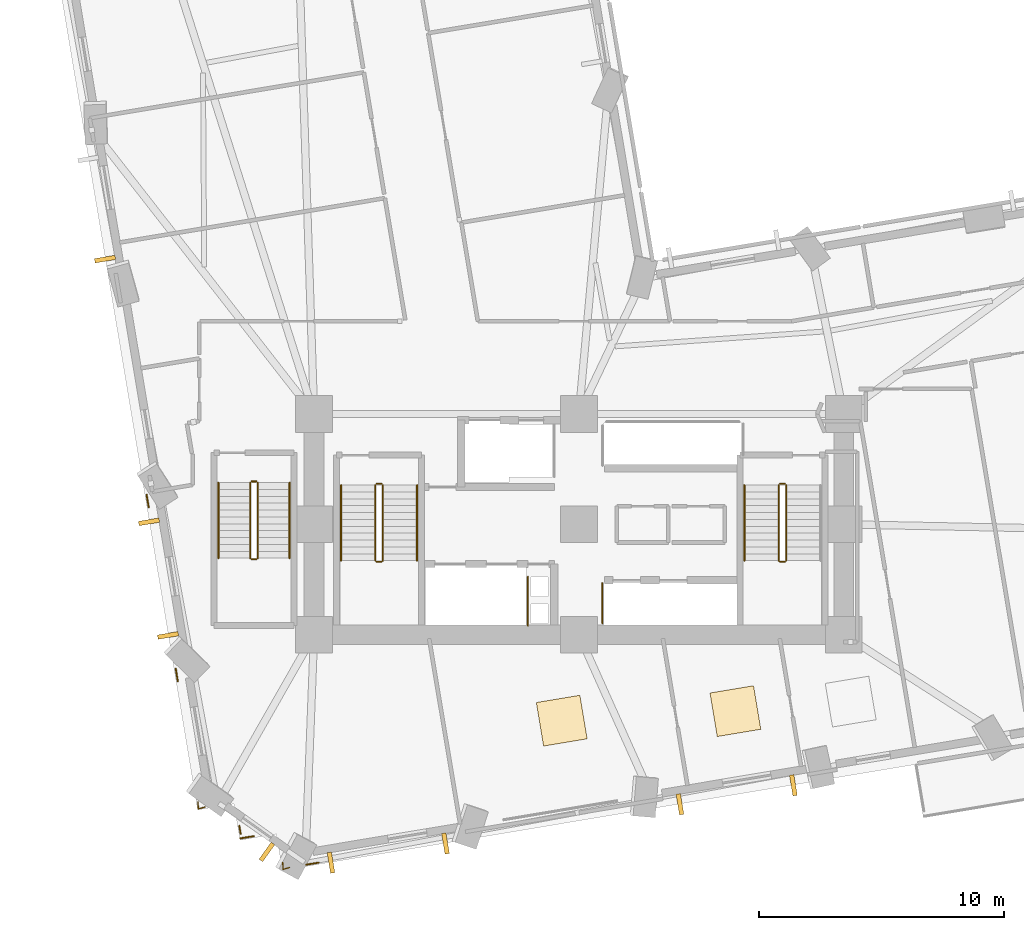
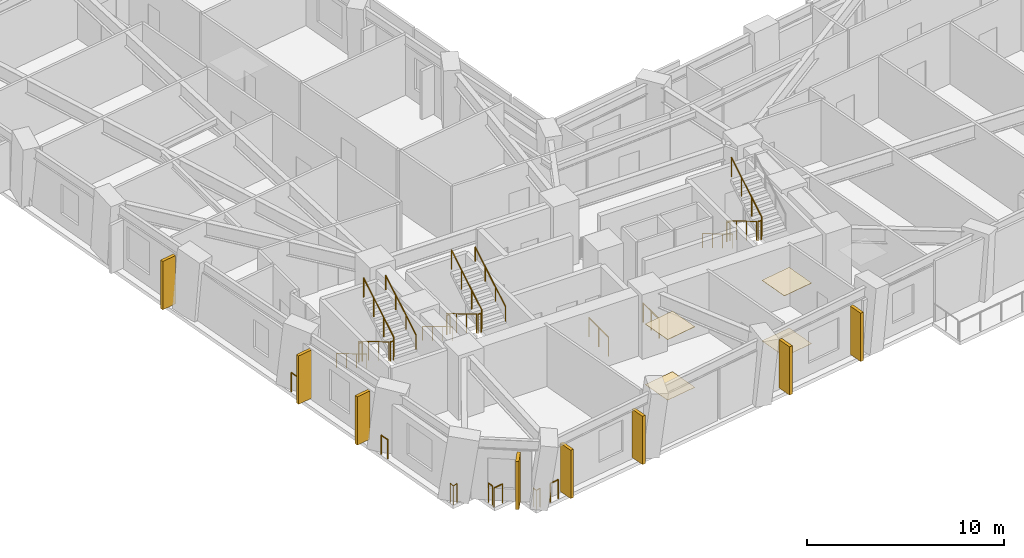
# One storey, part 13 of 16: 26 railings, 8 shading devices, 4 coverings.
"""IFC4 building model written with IfcOpenShell, lengths in metres."""

from ifc_helpers import new_model, si_unit, direction, frame, origin, origin_2d, place, context, subcontext, project, spatial, rectangle, circle, extrude, material, layer, layer_set, type_object, element, save


model = new_model("IFC4")

# Units and contexts
model_context = context("Model", 3, precision=1e-05, world=origin(), true_north=direction((0.0, 1.0)))
body_context = subcontext(model_context, "Body", "Model", "MODEL_VIEW")
ifc_project = project(units=[si_unit("LENGTHUNIT", "METRE"), si_unit("AREAUNIT", "SQUARE_METRE"), si_unit("VOLUMEUNIT", "CUBIC_METRE"), si_unit("PLANEANGLEUNIT", "RADIAN"), si_unit("MASSUNIT", "GRAM", prefix="KILO")], contexts=[model_context])

# Site, building, storey
site_placement = place(None, origin())
site = spatial("IfcSite", under=ifc_project, at=site_placement, CompositionType="ELEMENT")
building_placement = place(site_placement, origin())
building = spatial("IfcBuilding", under=site, at=building_placement, Name="Gaonmaruhae Medical Tower", CompositionType="ELEMENT")
storey_placement = place(building_placement, frame((0.0, 0.0, 63.0)))
storey = spatial("IfcBuildingStorey", under=building, at=storey_placement, Name="L14", CompositionType="ELEMENT", Elevation=63.0)

# Coverings
ifc_material_1 = material(Name="Acoustic mineral ceiling tile", Category="finish")
ifc_layer_1 = layer(ifc_material_1, 0.02490234375)
ifc_layer_set_1 = layer_set([ifc_layer_1], Name="Acoustic mineral ceiling tile")
covering_type_1 = type_object("IfcCoveringType", Name="CLG-01 Antimicrobial Acoustic Mineral Ceiling", PredefinedType="CEILING", material=ifc_layer_set_1)
for number, where, z_axis, x_axis, name in (
    (1, (24.09912109375, 4.29443359375, 3.755126953125), (0.0, 0.0, 1.0), (0.986285601537, 0.165047605861, 0.0), "L14 Clinical Room Acoustic Ceiling 2"),
    (2, (31.18212890625, 4.682373046875, 3.755126953125), (0.0, 0.0, 1.0), (0.986285601537, 0.165047605861, 0.0), "L14 Clinical Room Acoustic Ceiling 3"),
):
    element("IfcCovering", number, at=place(storey_placement, frame(where, z_axis=z_axis, x_axis=x_axis)), inside=storey, type_object=covering_type_1, Name=name, PredefinedType="CEILING", context=body_context, shape_type="SweptSolid", body=[
        extrude(rectangle(XDim=1.800048828125, YDim=1.800048828125, at=origin_2d()), origin(), (0.0, 0.0, 1.0), 0.02490234375),
    ])
ifc_material_2 = material(Name="Seamless clinical vinyl flooring", Category="finish")
ifc_layer_2 = layer(ifc_material_2, 0.014892578125)
ifc_layer_set_2 = layer_set([ifc_layer_2], Name="Seamless clinical vinyl flooring")
covering_type_2 = type_object("IfcCoveringType", Name="FLR-01 Seamless Clinical Antistatic Vinyl Flooring", PredefinedType="FLOORING", material=ifc_layer_set_2)
for number, where, z_axis, x_axis, name in (
    (3, (24.09912109375, 4.29443359375, 0.0), (0.0, 0.0, 1.0), (0.986285601537, 0.165047605861, 0.0), "L14 Clinical Room Vinyl Flooring 2"),
    (4, (31.18212890625, 4.682373046875, 0.0), (0.0, 0.0, 1.0), (0.986285601537, 0.165047605861, 0.0), "L14 Clinical Room Vinyl Flooring 3"),
):
    element("IfcCovering", number, at=place(storey_placement, frame(where, z_axis=z_axis, x_axis=x_axis)), inside=storey, type_object=covering_type_2, Name=name, PredefinedType="FLOORING", context=body_context, shape_type="SweptSolid", body=[
        extrude(rectangle(XDim=1.800048828125, YDim=1.800048828125, at=origin_2d()), origin(), (0.0, 0.0, 1.0), 0.014892578125),
    ])

# Railings
ifc_material_3 = material(Name="Stainless steel 316L and laminated safety glass", Category="steel")
ifc_layer_3 = layer(ifc_material_3, 0.080078125)
ifc_layer_set_3 = layer_set([ifc_layer_3], Name="Stainless steel 316L and laminated safety glass")
railing_type_1 = type_object("IfcRailingType", Name="GD-120 Outdoor Terrace Safety Glass & Steel Balustrade", PredefinedType="BALUSTRADE", material=ifc_layer_set_3)
railing_1_placement = place(storey_placement, frame((11.539306640625, -0.4169921875, 0.0)))
element("IfcRailing", 5, at=railing_1_placement, inside=storey, type_object=railing_type_1, Name="L14 Perimeter Slab Edge Safety Balustrade 01", PredefinedType="BALUSTRADE", context=body_context, shape_type="SweptSolid", body=[
    extrude(circle(Radius=0.02392578125, at=origin_2d()), frame((0.0, 0.0, 1.17578125), z_axis=(-0.986323123359, -0.164823227511, 0.0), x_axis=(0.164823227511, -0.986323123359, 0.0)), (0.0, 0.0, 1.0), 0.559814453125),
    extrude(circle(Radius=0.02099609375, at=origin_2d()), origin(), (0.0, 0.0, 1.0), 1.15185546875),
    extrude(circle(Radius=0.02099609375, at=origin_2d()), frame((-0.55224609375, -0.09228515625, 0.0)), (0.0, 0.0, 1.0), 1.15185546875),
])
railing_2_placement = place(storey_placement, frame((11.006103515625, -0.3203125, 0.0)))
element("IfcRailing", 6, at=railing_2_placement, inside=storey, type_object=railing_type_1, Name="L14 Perimeter Slab Edge Safety Balustrade 02", PredefinedType="BALUSTRADE", context=body_context, shape_type="SweptSolid", body=[
    extrude(circle(Radius=0.02392578125, at=origin_2d()), frame((0.0, 0.0, 1.17578125), z_axis=(-0.165125924837, 0.986272492239, 0.0), x_axis=(-0.986272492239, -0.165125924837, 0.0)), (0.0, 0.0, 1.0), 0.32666015625),
    extrude(circle(Radius=0.02099609375, at=origin_2d()), origin(), (0.0, 0.0, 1.0), 1.15185546875),
    extrude(circle(Radius=0.02099609375, at=origin_2d()), frame((-0.053955078125, 0.322265625, 0.0)), (0.0, 0.0, 1.0), 1.15185546875),
])
railing_3_placement = place(storey_placement, frame((8.443603515625, 5.90380859375, 0.0)))
element("IfcRailing", 7, at=railing_3_placement, inside=storey, type_object=railing_type_1, Name="L14 Perimeter Slab Edge Safety Balustrade 03", PredefinedType="BALUSTRADE", context=body_context, shape_type="SweptSolid", body=[
    extrude(circle(Radius=0.02392578125, at=origin_2d()), frame((0.0, 0.0, 1.17578125), z_axis=(-0.164855950815, 0.986317654451, 0.0), x_axis=(-0.986317654451, -0.164855950815, 0.0)), (0.0, 0.0, 1.0), 0.519775390625),
    extrude(circle(Radius=0.02099609375, at=origin_2d()), origin(), (0.0, 0.0, 1.0), 1.15185546875),
    extrude(circle(Radius=0.02099609375, at=origin_2d()), frame((-0.085693359375, 0.5126953125, 0.0)), (0.0, 0.0, 1.0), 1.15185546875),
])
railing_4_placement = place(storey_placement, frame((7.256591796875, 12.998291015625, 0.0)))
element("IfcRailing", 8, at=railing_4_placement, inside=storey, type_object=railing_type_1, Name="L14 Perimeter Slab Edge Safety Balustrade 04", PredefinedType="BALUSTRADE", context=body_context, shape_type="SweptSolid", body=[
    extrude(circle(Radius=0.02392578125, at=origin_2d()), frame((0.0, 0.0, 1.17578125), z_axis=(-0.165312808191, 0.986241185232, 0.0), x_axis=(-0.986241185232, -0.165312808191, 0.0)), (0.0, 0.0, 1.0), 0.519775390625),
    extrude(circle(Radius=0.02099609375, at=origin_2d()), origin(), (0.0, 0.0, 1.0), 1.15185546875),
    extrude(circle(Radius=0.02099609375, at=origin_2d()), frame((-0.0859375, 0.5126953125, 0.0)), (0.0, 0.0, 1.0), 1.15185546875),
])
railing_5_placement = place(storey_placement, frame((14.185791015625, -1.494873046875, 0.0)))
element("IfcRailing", 9, at=railing_5_placement, inside=storey, type_object=railing_type_1, Name="L14 Perimeter Slab Edge Safety Balustrade 12", PredefinedType="BALUSTRADE", context=body_context, shape_type="SweptSolid", body=[
    extrude(circle(Radius=0.02392578125, at=origin_2d()), frame((0.0, 0.0, 1.17578125), z_axis=(-0.986304625338, -0.164933883836, 0.0), x_axis=(0.164933883836, -0.986304625338, 0.0)), (0.0, 0.0, 1.0), 0.51806640625),
    extrude(circle(Radius=0.02099609375, at=origin_2d()), origin(), (0.0, 0.0, 1.0), 1.15185546875),
    extrude(circle(Radius=0.02099609375, at=origin_2d()), frame((-0.510986328125, -0.08544921875, 0.0)), (0.0, 0.0, 1.0), 1.15185546875),
])
railing_6_placement = place(storey_placement, frame((9.555908203125, 0.772216796875, 0.0)))
element("IfcRailing", 10, at=railing_6_placement, inside=storey, type_object=railing_type_1, Name="L14 Perimeter Corner Safety Balustrade 13", PredefinedType="BALUSTRADE", context=body_context, shape_type="SweptSolid", body=[
    extrude(circle(Radius=0.02392578125, at=origin_2d()), frame((0.0, 0.0, 1.17578125), z_axis=(-0.958617878705, -0.284695912559, 0.0), x_axis=(0.284695912559, -0.958617878705, 0.0)), (0.0, 0.0, 1.0), 0.287353515625),
    extrude(circle(Radius=0.02392578125, at=origin_2d()), frame((-0.275390625, -0.081787109375, 1.17578125), z_axis=(-0.043363427721, 0.99905936417, 0.0), x_axis=(-0.99905936417, -0.043363427721, 0.0)), (0.0, 0.0, 1.0), 0.287109375),
    extrude(circle(Radius=0.02099609375, at=origin_2d()), origin(), (0.0, 0.0, 1.0), 1.15185546875),
    extrude(circle(Radius=0.02099609375, at=origin_2d()), frame((-0.275390625, -0.081787109375, 0.0)), (0.0, 0.0, 1.0), 1.15185546875),
    extrude(circle(Radius=0.02099609375, at=origin_2d()), frame((-0.287841796875, 0.205078125, 0.0)), (0.0, 0.0, 1.0), 1.15185546875),
])
railing_7_placement = place(storey_placement, frame((13.010009765625, -1.691650390625, 0.0)))
element("IfcRailing", 11, at=railing_7_placement, inside=storey, type_object=railing_type_1, Name="L14 Perimeter Corner Safety Balustrade 15", PredefinedType="BALUSTRADE", context=body_context, shape_type="SweptSolid", body=[
    extrude(circle(Radius=0.02392578125, at=origin_2d()), frame((0.0, 0.0, 1.17578125), z_axis=(-0.958849549831, -0.28391467167, 0.0), x_axis=(0.28391467167, -0.958849549831, 0.0)), (0.0, 0.0, 1.0), 0.287109375),
    extrude(circle(Radius=0.02392578125, at=origin_2d()), frame((-0.275390625, -0.08154296875, 1.17578125), z_axis=(-0.043363427721, 0.99905936417, 0.0), x_axis=(-0.99905936417, -0.043363427721, 0.0)), (0.0, 0.0, 1.0), 0.287109375),
    extrude(circle(Radius=0.02099609375, at=origin_2d()), origin(), (0.0, 0.0, 1.0), 1.15185546875),
    extrude(circle(Radius=0.02099609375, at=origin_2d()), frame((-0.275390625, -0.08154296875, 0.0)), (0.0, 0.0, 1.0), 1.15185546875),
    extrude(circle(Radius=0.02099609375, at=origin_2d()), frame((-0.287841796875, 0.205322265625, 0.0)), (0.0, 0.0, 1.0), 1.15185546875),
])
ifc_material_4 = material(Name="Stainless steel 304 handrail", Category="steel")
railing_type_2 = type_object("IfcRailingType", Name="HR-092 Continuous Stainless Steel Stair Handrail", PredefinedType="HANDRAIL", material=ifc_material_4)
railing_8_placement = place(storey_placement, frame((15.10009765625, 13.89990234375, 0.166748046875)))
element("IfcRailing", 12, at=railing_8_placement, inside=storey, type_object=railing_type_2, Name="L14 ST-01 stair handrail 1", PredefinedType="HANDRAIL", context=body_context, shape_type="SweptSolid", body=[
    extrude(circle(Radius=0.02392578125, at=origin_2d()), frame((0.0, 0.0, 0.8759765625), z_axis=(0.0, -0.859290745958, 0.51148745235), x_axis=(1.0, 0.0, 0.0)), (0.0, 0.0, 1.0), 3.584228515625),
    extrude(circle(Radius=0.02099609375, at=origin_2d()), origin(), (0.0, 0.0, 1.0), 0.851806640625),
    extrude(circle(Radius=0.02099609375, at=origin_2d()), frame((0.0, -1.026611328125, 0.611083984375)), (0.0, 0.0, 1.0), 0.851806640625),
    extrude(circle(Radius=0.02099609375, at=origin_2d()), frame((0.0, -2.05322265625, 1.22216796875)), (0.0, 0.0, 1.0), 0.851806640625),
    extrude(circle(Radius=0.02099609375, at=origin_2d()), frame((0.0, -3.079833984375, 1.833251953125)), (0.0, 0.0, 1.0), 0.851806640625),
])
railing_9_placement = place(storey_placement, frame((18.199951171875, 10.820068359375, 2.166748046875)))
element("IfcRailing", 13, at=railing_9_placement, inside=storey, type_object=railing_type_2, Name="L14 ST-01 stair handrail 2", PredefinedType="HANDRAIL", context=body_context, shape_type="SweptSolid", body=[
    extrude(circle(Radius=0.02392578125, at=origin_2d()), frame((0.0, 0.0, 0.8759765625), z_axis=(0.0, 0.859290745958, 0.51148745235), x_axis=(-1.0, 0.0, 0.0)), (0.0, 0.0, 1.0), 3.584228515625),
    extrude(circle(Radius=0.02099609375, at=origin_2d()), origin(), (0.0, 0.0, 1.0), 0.851806640625),
    extrude(circle(Radius=0.02099609375, at=origin_2d()), frame((0.0, 1.026611328125, 0.611083984375)), (0.0, 0.0, 1.0), 0.851806640625),
    extrude(circle(Radius=0.02099609375, at=origin_2d()), frame((0.0, 2.05322265625, 1.22216796875)), (0.0, 0.0, 1.0), 0.851806640625),
    extrude(circle(Radius=0.02099609375, at=origin_2d()), frame((0.0, 3.079833984375, 1.833251953125)), (0.0, 0.0, 1.0), 0.851806640625),
])
railing_10_placement = place(storey_placement, frame((31.550048828125, 13.89990234375, 0.166748046875)))
element("IfcRailing", 14, at=railing_10_placement, inside=storey, type_object=railing_type_2, Name="L14 ST-02 stair handrail 1", PredefinedType="HANDRAIL", context=body_context, shape_type="SweptSolid", body=[
    extrude(circle(Radius=0.02392578125, at=origin_2d()), frame((0.0, 0.0, 0.8759765625), z_axis=(0.0, -0.859290745958, 0.51148745235), x_axis=(1.0, 0.0, 0.0)), (0.0, 0.0, 1.0), 3.584228515625),
    extrude(circle(Radius=0.02099609375, at=origin_2d()), origin(), (0.0, 0.0, 1.0), 0.851806640625),
    extrude(circle(Radius=0.02099609375, at=origin_2d()), frame((0.0, -1.026611328125, 0.611083984375)), (0.0, 0.0, 1.0), 0.851806640625),
    extrude(circle(Radius=0.02099609375, at=origin_2d()), frame((0.0, -2.05322265625, 1.22216796875)), (0.0, 0.0, 1.0), 0.851806640625),
    extrude(circle(Radius=0.02099609375, at=origin_2d()), frame((0.0, -3.079833984375, 1.833251953125)), (0.0, 0.0, 1.0), 0.851806640625),
])
railing_11_placement = place(storey_placement, frame((10.10009765625, 14.0, 0.166748046875)))
element("IfcRailing", 15, at=railing_11_placement, inside=storey, type_object=railing_type_2, Name="L14 ST-03 stair handrail 1", PredefinedType="HANDRAIL", context=body_context, shape_type="SweptSolid", body=[
    extrude(circle(Radius=0.02392578125, at=origin_2d()), frame((0.0, 0.0, 0.8759765625), z_axis=(0.0, -0.859308565015, 0.511457515432), x_axis=(1.0, 0.0, 0.0)), (0.0, 0.0, 1.0), 3.58447265625),
    extrude(circle(Radius=0.02099609375, at=origin_2d()), origin(), (0.0, 0.0, 1.0), 0.851806640625),
    extrude(circle(Radius=0.02099609375, at=origin_2d()), frame((0.0, -1.026611328125, 0.611083984375)), (0.0, 0.0, 1.0), 0.851806640625),
    extrude(circle(Radius=0.02099609375, at=origin_2d()), frame((0.0, -2.053466796875, 1.22216796875)), (0.0, 0.0, 1.0), 0.851806640625),
    extrude(circle(Radius=0.02099609375, at=origin_2d()), frame((0.0, -3.080078125, 1.833251953125)), (0.0, 0.0, 1.0), 0.851806640625),
])
railing_12_placement = place(storey_placement, frame((13.0, 10.919921875, 2.166748046875)))
element("IfcRailing", 16, at=railing_12_placement, inside=storey, type_object=railing_type_2, Name="L14 ST-03 stair handrail 2", PredefinedType="HANDRAIL", context=body_context, shape_type="SweptSolid", body=[
    extrude(circle(Radius=0.02392578125, at=origin_2d()), frame((0.0, 0.0, 0.8759765625), z_axis=(0.0, 0.859308565015, 0.511457515432), x_axis=(-1.0, 0.0, 0.0)), (0.0, 0.0, 1.0), 3.58447265625),
    extrude(circle(Radius=0.02099609375, at=origin_2d()), origin(), (0.0, 0.0, 1.0), 0.851806640625),
    extrude(circle(Radius=0.02099609375, at=origin_2d()), frame((0.0, 1.026611328125, 0.611083984375)), (0.0, 0.0, 1.0), 0.851806640625),
    extrude(circle(Radius=0.02099609375, at=origin_2d()), frame((0.0, 2.053466796875, 1.22216796875)), (0.0, 0.0, 1.0), 0.851806640625),
    extrude(circle(Radius=0.02099609375, at=origin_2d()), frame((0.0, 3.080078125, 1.833251953125)), (0.0, 0.0, 1.0), 0.851806640625),
])

# Shading devices
ifc_material_5 = material(Name="Pigmented coral precast concrete C45/55", Category="concrete")
shading_device_type = type_object("IfcShadingDeviceType", Name="SD-FIN1 Tower Vertical Coral Precast Shading Fin", PredefinedType="USERDEFINED", material=ifc_material_5)
for number, where, z_axis, x_axis, name in (
    (17, (19.3603515625, -0.715087890625, 0.08251953125), (0.0, 0.0, 1.0), (-0.986285601537, -0.165047605861, 0.0), "L14 Vertical Coral Precast Shading Fin S01"),
    (18, (14.690673828125, -1.49658203125, 0.08251953125), (0.0, 0.0, 1.0), (-0.986285601537, -0.165047605861, 0.0), "L14 Vertical Coral Precast Shading Fin S01B"),
    (19, (33.5458984375, 1.65869140625, 0.08251953125), (0.0, 0.0, 1.0), (-0.986288482011, -0.165030391904, 0.0), "L14 Vertical Coral Precast Shading Fin S03"),
    (20, (28.92041015625, 0.884765625, 0.08251953125), (0.0, 0.0, 1.0), (-0.986288482011, -0.165030391904, 0.0), "L14 Vertical Coral Precast Shading Fin S03B"),
    (21, (5.477294921875, 23.115234375, 0.08251953125), (0.0, 0.0, 1.0), (-0.165047605861, 0.986285601537, 0.0), "L14 Vertical Coral Precast Shading Fin W03"),
    (22, (8.04541015625, 7.76904296875, 0.08251953125), (0.0, 0.0, 1.0), (-0.165047605861, 0.986285601537, 0.0), "L14 Vertical Coral Precast Shading Fin W05"),
    (23, (7.270263671875, 12.40185546875, 0.08251953125), (0.0, 0.0, 1.0), (-0.165047605861, 0.986285601537, 0.0), "L14 Vertical Coral Precast Shading Fin W05B"),
    (24, (12.077392578125, -1.060302734375, 0.08251953125), (0.0, 0.0, 1.0), (-0.814105383054, 0.580717164619, 0.0), "L14 Vertical Coral Precast Shading Fin W07"),
):
    element("IfcShadingDevice", number, at=place(storey_placement, frame(where, z_axis=z_axis, x_axis=x_axis)), inside=storey, type_object=shading_device_type, Name=name, ObjectType="FIN", PredefinedType="USERDEFINED", context=body_context, shape_type="SweptSolid", body=[
        extrude(rectangle(XDim=0.179931640625, YDim=0.85009765625, at=origin_2d()), origin(), (0.0, 0.0, 1.0), 3.0),
    ])

# Railings
ifc_material_6 = material(Name="Stainless steel 304 balustrade", Category="steel")
railing_type_3 = type_object("IfcRailingType", Name="SG-112 Stair Well & Ramp Void Safety Balustrade", PredefinedType="BALUSTRADE", material=ifc_material_6)
railing_13_placement = place(storey_placement, frame((16.5, 13.89990234375, 0.166748046875)))
element("IfcRailing", 25, at=railing_13_placement, inside=storey, type_object=railing_type_3, Name="L14 ST-01 stair guard 1", PredefinedType="BALUSTRADE", context=body_context, shape_type="SweptSolid", body=[
    extrude(circle(Radius=0.02392578125, at=origin_2d()), frame((0.0, 0.0, 1.17578125), z_axis=(0.0, -0.859290745958, 0.51148745235), x_axis=(1.0, 0.0, 0.0)), (0.0, 0.0, 1.0), 3.584228515625),
    extrude(circle(Radius=0.02099609375, at=origin_2d()), origin(), (0.0, 0.0, 1.0), 1.15185546875),
    extrude(circle(Radius=0.02099609375, at=origin_2d()), frame((0.0, -1.026611328125, 0.611083984375)), (0.0, 0.0, 1.0), 1.15185546875),
    extrude(circle(Radius=0.02099609375, at=origin_2d()), frame((0.0, -2.05322265625, 1.22216796875)), (0.0, 0.0, 1.0), 1.15185546875),
    extrude(circle(Radius=0.02099609375, at=origin_2d()), frame((0.0, -3.079833984375, 1.833251953125)), (0.0, 0.0, 1.0), 1.15185546875),
])
railing_14_placement = place(storey_placement, frame((16.550048828125, 10.77001953125, 2.0)))
element("IfcRailing", 26, at=railing_14_placement, inside=storey, type_object=railing_type_3, Name="L14 ST-01 stair guard 2", PredefinedType="BALUSTRADE", context=body_context, shape_type="SweptSolid", body=[
    extrude(circle(Radius=0.02392578125, at=origin_2d()), frame((0.0, 0.0, 1.17578125), z_axis=(1.0, 0.0, 0.0), x_axis=(0.0, 1.0, 0.0)), (0.0, 0.0, 1.0), 0.199951171875),
    extrude(circle(Radius=0.02099609375, at=origin_2d()), origin(), (0.0, 0.0, 1.0), 1.15185546875),
    extrude(circle(Radius=0.02099609375, at=origin_2d()), frame((0.199951171875, 0.0, 0.0)), (0.0, 0.0, 1.0), 1.15185546875),
])
railing_15_placement = place(storey_placement, frame((16.800048828125, 10.820068359375, 2.166748046875)))
element("IfcRailing", 27, at=railing_15_placement, inside=storey, type_object=railing_type_3, Name="L14 ST-01 stair guard 3", PredefinedType="BALUSTRADE", context=body_context, shape_type="SweptSolid", body=[
    extrude(circle(Radius=0.02392578125, at=origin_2d()), frame((0.0, 0.0, 1.17578125), z_axis=(0.0, 0.859290745958, 0.51148745235), x_axis=(-1.0, 0.0, 0.0)), (0.0, 0.0, 1.0), 3.584228515625),
    extrude(circle(Radius=0.02099609375, at=origin_2d()), origin(), (0.0, 0.0, 1.0), 1.15185546875),
    extrude(circle(Radius=0.02099609375, at=origin_2d()), frame((0.0, 1.026611328125, 0.611083984375)), (0.0, 0.0, 1.0), 1.15185546875),
    extrude(circle(Radius=0.02099609375, at=origin_2d()), frame((0.0, 2.05322265625, 1.22216796875)), (0.0, 0.0, 1.0), 1.15185546875),
    extrude(circle(Radius=0.02099609375, at=origin_2d()), frame((0.0, 3.079833984375, 1.833251953125)), (0.0, 0.0, 1.0), 1.15185546875),
])
railing_16_placement = place(storey_placement, frame((16.550048828125, 13.949951171875, 0.0)))
element("IfcRailing", 28, at=railing_16_placement, inside=storey, type_object=railing_type_3, Name="L14 ST-01 stair guard 4", PredefinedType="BALUSTRADE", context=body_context, shape_type="SweptSolid", body=[
    extrude(circle(Radius=0.02392578125, at=origin_2d()), frame((0.0, 0.0, 1.17578125), z_axis=(1.0, 0.0, 0.0), x_axis=(0.0, 1.0, 0.0)), (0.0, 0.0, 1.0), 0.199951171875),
    extrude(circle(Radius=0.02099609375, at=origin_2d()), origin(), (0.0, 0.0, 1.0), 1.15185546875),
    extrude(circle(Radius=0.02099609375, at=origin_2d()), frame((0.199951171875, 0.0, 0.0)), (0.0, 0.0, 1.0), 1.15185546875),
])
railing_17_placement = place(storey_placement, frame((32.949951171875, 13.89990234375, 0.166748046875)))
element("IfcRailing", 29, at=railing_17_placement, inside=storey, type_object=railing_type_3, Name="L14 ST-02 stair guard 1", PredefinedType="BALUSTRADE", context=body_context, shape_type="SweptSolid", body=[
    extrude(circle(Radius=0.02392578125, at=origin_2d()), frame((0.0, 0.0, 1.17578125), z_axis=(0.0, -0.859290745958, 0.51148745235), x_axis=(1.0, 0.0, 0.0)), (0.0, 0.0, 1.0), 3.584228515625),
    extrude(circle(Radius=0.02099609375, at=origin_2d()), origin(), (0.0, 0.0, 1.0), 1.15185546875),
    extrude(circle(Radius=0.02099609375, at=origin_2d()), frame((0.0, -1.026611328125, 0.611083984375)), (0.0, 0.0, 1.0), 1.15185546875),
    extrude(circle(Radius=0.02099609375, at=origin_2d()), frame((0.0, -2.05322265625, 1.22216796875)), (0.0, 0.0, 1.0), 1.15185546875),
    extrude(circle(Radius=0.02099609375, at=origin_2d()), frame((0.0, -3.079833984375, 1.833251953125)), (0.0, 0.0, 1.0), 1.15185546875),
])
railing_18_placement = place(storey_placement, frame((33.0, 10.77001953125, 2.0)))
element("IfcRailing", 30, at=railing_18_placement, inside=storey, type_object=railing_type_3, Name="L14 ST-02 stair guard 2", PredefinedType="BALUSTRADE", context=body_context, shape_type="SweptSolid", body=[
    extrude(circle(Radius=0.02392578125, at=origin_2d()), frame((0.0, 0.0, 1.17578125), z_axis=(1.0, 0.0, 0.0), x_axis=(0.0, 1.0, 0.0)), (0.0, 0.0, 1.0), 0.199951171875),
    extrude(circle(Radius=0.02099609375, at=origin_2d()), origin(), (0.0, 0.0, 1.0), 1.15185546875),
    extrude(circle(Radius=0.02099609375, at=origin_2d()), frame((0.199951171875, 0.0, 0.0)), (0.0, 0.0, 1.0), 1.15185546875),
])
railing_19_placement = place(storey_placement, frame((33.25, 10.820068359375, 2.166748046875)))
element("IfcRailing", 31, at=railing_19_placement, inside=storey, type_object=railing_type_3, Name="L14 ST-02 stair guard 3", PredefinedType="BALUSTRADE", context=body_context, shape_type="SweptSolid", body=[
    extrude(circle(Radius=0.02392578125, at=origin_2d()), frame((0.0, 0.0, 1.17578125), z_axis=(0.0, 0.859290745958, 0.51148745235), x_axis=(-1.0, 0.0, 0.0)), (0.0, 0.0, 1.0), 3.584228515625),
    extrude(circle(Radius=0.02099609375, at=origin_2d()), origin(), (0.0, 0.0, 1.0), 1.15185546875),
    extrude(circle(Radius=0.02099609375, at=origin_2d()), frame((0.0, 1.026611328125, 0.611083984375)), (0.0, 0.0, 1.0), 1.15185546875),
    extrude(circle(Radius=0.02099609375, at=origin_2d()), frame((0.0, 2.05322265625, 1.22216796875)), (0.0, 0.0, 1.0), 1.15185546875),
    extrude(circle(Radius=0.02099609375, at=origin_2d()), frame((0.0, 3.079833984375, 1.833251953125)), (0.0, 0.0, 1.0), 1.15185546875),
])
railing_20_placement = place(storey_placement, frame((33.0, 13.949951171875, 0.0)))
element("IfcRailing", 32, at=railing_20_placement, inside=storey, type_object=railing_type_3, Name="L14 ST-02 stair guard 4", PredefinedType="BALUSTRADE", context=body_context, shape_type="SweptSolid", body=[
    extrude(circle(Radius=0.02392578125, at=origin_2d()), frame((0.0, 0.0, 1.17578125), z_axis=(1.0, 0.0, 0.0), x_axis=(0.0, 1.0, 0.0)), (0.0, 0.0, 1.0), 0.199951171875),
    extrude(circle(Radius=0.02099609375, at=origin_2d()), origin(), (0.0, 0.0, 1.0), 1.15185546875),
    extrude(circle(Radius=0.02099609375, at=origin_2d()), frame((0.199951171875, 0.0, 0.0)), (0.0, 0.0, 1.0), 1.15185546875),
])
railing_21_placement = place(storey_placement, frame((11.39990234375, 14.0, 0.166748046875)))
element("IfcRailing", 33, at=railing_21_placement, inside=storey, type_object=railing_type_3, Name="L14 ST-03 stair guard 1", PredefinedType="BALUSTRADE", context=body_context, shape_type="SweptSolid", body=[
    extrude(circle(Radius=0.02392578125, at=origin_2d()), frame((0.0, 0.0, 1.17578125), z_axis=(0.0, -0.859308565015, 0.511457515432), x_axis=(1.0, 0.0, 0.0)), (0.0, 0.0, 1.0), 3.58447265625),
    extrude(circle(Radius=0.02099609375, at=origin_2d()), origin(), (0.0, 0.0, 1.0), 1.15185546875),
    extrude(circle(Radius=0.02099609375, at=origin_2d()), frame((0.0, -1.026611328125, 0.611083984375)), (0.0, 0.0, 1.0), 1.15185546875),
    extrude(circle(Radius=0.02099609375, at=origin_2d()), frame((0.0, -2.053466796875, 1.22216796875)), (0.0, 0.0, 1.0), 1.15185546875),
    extrude(circle(Radius=0.02099609375, at=origin_2d()), frame((0.0, -3.080078125, 1.833251953125)), (0.0, 0.0, 1.0), 1.15185546875),
])
railing_22_placement = place(storey_placement, frame((11.449951171875, 10.8701171875, 2.0)))
element("IfcRailing", 34, at=railing_22_placement, inside=storey, type_object=railing_type_3, Name="L14 ST-03 stair guard 2", PredefinedType="BALUSTRADE", context=body_context, shape_type="SweptSolid", body=[
    extrude(circle(Radius=0.02392578125, at=origin_2d()), frame((0.0, 0.0, 1.17578125), z_axis=(1.0, 0.0, 0.0), x_axis=(0.0, 1.0, 0.0)), (0.0, 0.0, 1.0), 0.199951171875),
    extrude(circle(Radius=0.02099609375, at=origin_2d()), origin(), (0.0, 0.0, 1.0), 1.15185546875),
    extrude(circle(Radius=0.02099609375, at=origin_2d()), frame((0.199951171875, 0.0, 0.0)), (0.0, 0.0, 1.0), 1.15185546875),
])
railing_23_placement = place(storey_placement, frame((11.699951171875, 10.919921875, 2.166748046875)))
element("IfcRailing", 35, at=railing_23_placement, inside=storey, type_object=railing_type_3, Name="L14 ST-03 stair guard 3", PredefinedType="BALUSTRADE", context=body_context, shape_type="SweptSolid", body=[
    extrude(circle(Radius=0.02392578125, at=origin_2d()), frame((0.0, 0.0, 1.17578125), z_axis=(0.0, 0.859308565015, 0.511457515432), x_axis=(-1.0, 0.0, 0.0)), (0.0, 0.0, 1.0), 3.58447265625),
    extrude(circle(Radius=0.02099609375, at=origin_2d()), origin(), (0.0, 0.0, 1.0), 1.15185546875),
    extrude(circle(Radius=0.02099609375, at=origin_2d()), frame((0.0, 1.026611328125, 0.611083984375)), (0.0, 0.0, 1.0), 1.15185546875),
    extrude(circle(Radius=0.02099609375, at=origin_2d()), frame((0.0, 2.053466796875, 1.22216796875)), (0.0, 0.0, 1.0), 1.15185546875),
    extrude(circle(Radius=0.02099609375, at=origin_2d()), frame((0.0, 3.080078125, 1.833251953125)), (0.0, 0.0, 1.0), 1.15185546875),
])
railing_24_placement = place(storey_placement, frame((11.449951171875, 14.050048828125, 0.0)))
element("IfcRailing", 36, at=railing_24_placement, inside=storey, type_object=railing_type_3, Name="L14 ST-03 stair guard 4", PredefinedType="BALUSTRADE", context=body_context, shape_type="SweptSolid", body=[
    extrude(circle(Radius=0.02392578125, at=origin_2d()), frame((0.0, 0.0, 1.17578125), z_axis=(1.0, 0.0, 0.0), x_axis=(0.0, 1.0, 0.0)), (0.0, 0.0, 1.0), 0.199951171875),
    extrude(circle(Radius=0.02099609375, at=origin_2d()), origin(), (0.0, 0.0, 1.0), 1.15185546875),
    extrude(circle(Radius=0.02099609375, at=origin_2d()), frame((0.199951171875, 0.0, 0.0)), (0.0, 0.0, 1.0), 1.15185546875),
])
railing_25_placement = place(storey_placement, frame((25.7548828125, 8.27001953125, 0.0)))
element("IfcRailing", 37, at=railing_25_placement, inside=storey, type_object=railing_type_3, Name="L14 Shaft Edge Safety Guard 16", PredefinedType="BALUSTRADE", context=body_context, shape_type="SweptSolid", body=[
    extrude(circle(Radius=0.02392578125, at=origin_2d()), frame((0.0, 0.0, 1.17578125), z_axis=(0.0, 1.0, 0.0), x_axis=(-1.0, 0.0, 0.0)), (0.0, 0.0, 1.0), 1.635009765625),
    extrude(circle(Radius=0.02099609375, at=origin_2d()), origin(), (0.0, 0.0, 1.0), 1.15185546875),
    extrude(circle(Radius=0.02099609375, at=origin_2d()), frame((0.0, 0.8173828125, 0.0)), (0.0, 0.0, 1.0), 1.15185546875),
    extrude(circle(Radius=0.02099609375, at=origin_2d()), frame((0.0, 1.635009765625, 0.0)), (0.0, 0.0, 1.0), 1.15185546875),
])
railing_26_placement = place(storey_placement, frame((22.719970703125, 10.159912109375, 0.0)))
element("IfcRailing", 38, at=railing_26_placement, inside=storey, type_object=railing_type_3, Name="L14 Shaft Edge Safety Guard 17", PredefinedType="BALUSTRADE", context=body_context, shape_type="SweptSolid", body=[
    extrude(circle(Radius=0.02392578125, at=origin_2d()), frame((0.0, 0.0, 1.17578125), z_axis=(0.0, -1.0, 0.0), x_axis=(1.0, 0.0, 0.0)), (0.0, 0.0, 1.0), 1.994873046875),
    extrude(circle(Radius=0.02099609375, at=origin_2d()), origin(), (0.0, 0.0, 1.0), 1.15185546875),
    extrude(circle(Radius=0.02099609375, at=origin_2d()), frame((0.0, -0.99755859375, 0.0)), (0.0, 0.0, 1.0), 1.15185546875),
    extrude(circle(Radius=0.02099609375, at=origin_2d()), frame((0.0, -1.994873046875, 0.0)), (0.0, 0.0, 1.0), 1.15185546875),
])

save(model, "model.ifc")
